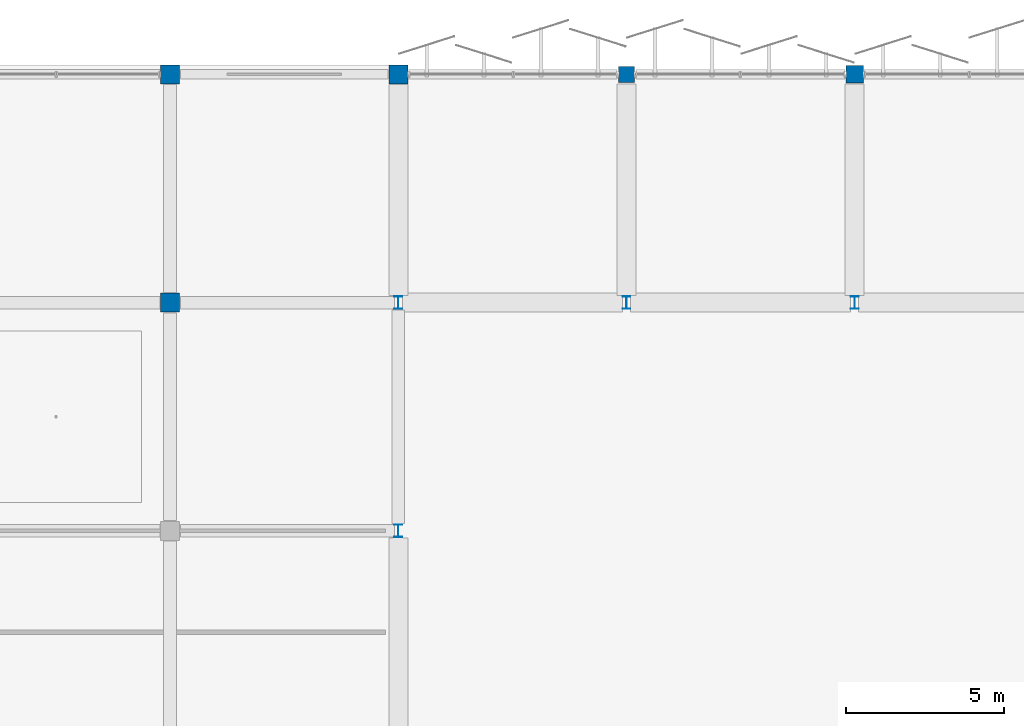
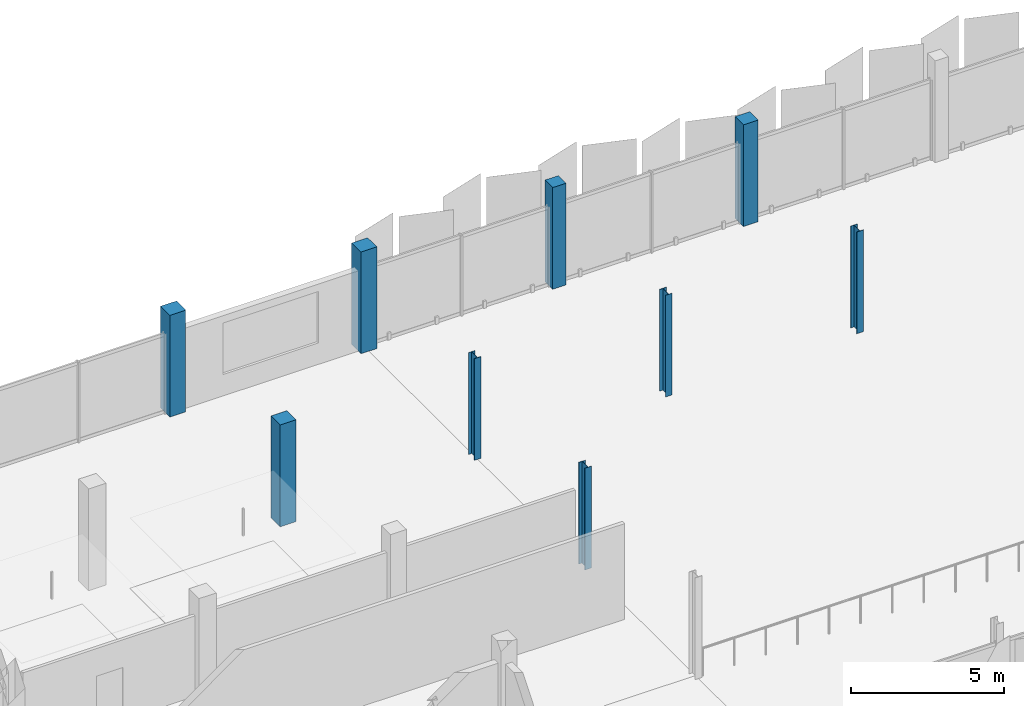
# One storey, part 8 of 107: 9 columns.
"""IFC4 building model written with IfcOpenShell, lengths in metres."""

import ifcopenshell
import ifcopenshell.guid

model = None  # the IFC model being written
_history = None  # IfcOwnerHistory: only IFC2X3 demands one
_inside = {}  # id of a spatial element -> (the spatial element, [elements in it])
_under = {}  # id of a project, library or spatial element -> (it, [spatial elements below it])
_declared = {}  # id of a project -> (the project, [libraries it declares])
_typed = {}  # id of a type object -> (the type object, [elements of that type])
_made_of = {}  # id of a material, layer set ... -> (it, [elements and type objects made of it])


def new_model(schema):
    """Start an empty IFC model of exactly this schema.

    Asked for "IFC4X3", IfcOpenShell would pick the latest addendum, in which some entities
    have other attributes; the version numbers below select the first issue.
    IFC2X3 requires an IfcOwnerHistory on every rooted entity: one is made here for all.
    """
    global model, _history
    if schema == "IFC4X3":
        model = ifcopenshell.file(schema_version=(4, 3, 0, 0))
    else:
        model = ifcopenshell.file(schema=schema)
    _inside.clear()
    _under.clear()
    _declared.clear()
    _typed.clear()
    _made_of.clear()
    _history = None
    if model.schema == "IFC2X3":
        org = make("IfcOrganization", Name="unknown")
        user = make(
            "IfcPersonAndOrganization",
            ThePerson=make("IfcPerson", FamilyName="unknown"),
            TheOrganization=org,
        )
        app = make(
            "IfcApplication",
            ApplicationDeveloper=org,
            Version="unknown",
            ApplicationFullName="unknown",
            ApplicationIdentifier="unknown",
        )
        _history = make(
            "IfcOwnerHistory",
            OwningUser=user,
            OwningApplication=app,
            ChangeAction="ADDED",
            CreationDate=0,
        )
    return model


def make(cls, **values):
    """One entity of the class cls with the attributes given. An attribute that is None is left unset."""
    return model.create_entity(
        cls, **{name: value for name, value in values.items() if value is not None}
    )


def rooted(cls, **values):
    """An entity with a GlobalId (a new one), such as an element, a storey or a relation."""
    return make(cls, GlobalId=ifcopenshell.guid.new(), OwnerHistory=_history, **values)


def si_unit(unit_type, name, prefix=None):
    """IfcSIUnit, for example si_unit("LENGTHUNIT", "METRE", prefix="MILLI")."""
    return make("IfcSIUnit", UnitType=unit_type, Prefix=prefix, Name=name)


def assignment(units):
    """IfcUnitAssignment: the units of a project."""
    return None if units is None else make("IfcUnitAssignment", Units=units)


def point(xyz):
    """IfcCartesianPoint."""
    return None if xyz is None else make("IfcCartesianPoint", Coordinates=xyz)


def direction(xyz):
    """IfcDirection."""
    return None if xyz is None else make("IfcDirection", DirectionRatios=xyz)


def frame(location, z_axis=None, x_axis=None):
    """IfcAxis2Placement3D, a coordinate frame: its origin and axes. An axis left out is left unset."""
    return make(
        "IfcAxis2Placement3D",
        Location=point(location),
        Axis=direction(z_axis),
        RefDirection=direction(x_axis),
    )


def frame_2d(location, x_axis=None):
    """IfcAxis2Placement2D, a coordinate frame in the plane: its origin and x axis."""
    return make(
        "IfcAxis2Placement2D", Location=point(location), RefDirection=direction(x_axis)
    )


def origin():
    """The frame at (0, 0, 0) with its axes left unset."""
    return frame((0.0, 0.0, 0.0))


def origin_2d():
    """The frame at (0, 0) in the plane with its x axis left unset."""
    return frame_2d((0.0, 0.0))


def place(relative_to, where):
    """IfcLocalPlacement: puts the frame where relative to a parent placement (None: the world)."""
    return make(
        "IfcLocalPlacement", PlacementRelTo=relative_to, RelativePlacement=where
    )


def context(
    kind, dimensions, precision=None, world=None, true_north=None, identifier=None
):
    """IfcGeometricRepresentationContext, for example the 3D "Model" context."""
    return make(
        "IfcGeometricRepresentationContext",
        ContextIdentifier=identifier,
        ContextType=kind,
        CoordinateSpaceDimension=dimensions,
        Precision=precision,
        WorldCoordinateSystem=world,
        TrueNorth=true_north,
    )


def subcontext(parent, identifier, kind, view, scale=None):
    """IfcGeometricRepresentationSubContext, for example "Body" below "Model"."""
    return make(
        "IfcGeometricRepresentationSubContext",
        ContextIdentifier=identifier,
        ContextType=kind,
        ParentContext=parent,
        TargetScale=scale,
        TargetView=view,
    )


def project(units=None, contexts=None):
    """IfcProject with its units and contexts."""
    return rooted(
        "IfcProject",
        Name="project",
        RepresentationContexts=contexts,
        UnitsInContext=assignment(units),
    )


def spatial(cls, under=None, at=None, **own):
    """A site, building, storey or space (cls), placed at a placement, below another one or the project."""
    s = rooted(cls, ObjectPlacement=at, **own)
    if under is not None:
        _under.setdefault(under.id(), (under, []))[1].append(s)
    return s


def profile(cls, at=None, kind="AREA", **sizes):
    """A parametric profile (cls). Its sizes go by their IFC names, for example OverallWidth=200.0."""
    return make(cls, ProfileType=kind, Position=at, **sizes)


def rectangle(**sizes):
    """IfcRectangleProfileDef."""
    return profile("IfcRectangleProfileDef", **sizes)


def i_section(**sizes):
    """IfcIShapeProfileDef."""
    return profile("IfcIShapeProfileDef", **sizes)


def extrude(swept, where, along, depth):
    """IfcExtrudedAreaSolid: the profile swept, set in the frame where, extruded along a direction by depth."""
    return make(
        "IfcExtrudedAreaSolid",
        SweptArea=swept,
        Position=where,
        ExtrudedDirection=direction(along),
        Depth=depth,
    )


def shape(context_of_items, identifier, shape_type, items):
    """IfcShapeRepresentation: the items that make up one representation, for example the "Body"."""
    return make(
        "IfcShapeRepresentation",
        ContextOfItems=context_of_items,
        RepresentationIdentifier=identifier,
        RepresentationType=shape_type,
        Items=items,
    )


def material(Name=None, Category=None):
    """IfcMaterial."""
    return make("IfcMaterial", Name=Name, Category=Category)


def material_profile(
    of_material, cross_section, Name=None, Category=None, Priority=None
):
    """IfcMaterialProfile: a cross section and its material."""
    return make(
        "IfcMaterialProfile",
        Name=Name,
        Material=of_material,
        Profile=cross_section,
        Priority=Priority,
        Category=Category,
    )


def profile_set(profiles, Name=None, composite=None):
    """IfcMaterialProfileSet."""
    return make(
        "IfcMaterialProfileSet",
        Name=Name,
        MaterialProfiles=profiles,
        CompositeProfile=composite,
    )


def made_of(thing, what):
    """Note that an element or type object is made of a material, layer set ...; save() writes the relation."""
    if what is not None:
        _made_of.setdefault(what.id(), (what, []))[1].append(thing)
    return thing


def type_object(cls, material=None, **own):
    """A type object (cls), such as IfcWallType, which elements share."""
    return made_of(rooted(cls, **own), material)


def element(
    cls,
    number,
    at=None,
    inside=None,
    cuts=None,
    type_object=None,
    material=None,
    context=None,
    identifier="Body",
    shape_type=None,
    held_by="IfcProductDefinitionShape",
    body=None,
    shapes=None,
    **own,
):
    """One element of the class cls, such as IfcWall. Its Tag is "e" and its number.

    at: its placement. inside: the storey or other place that contains it. cuts: it is an
    opening in that element (IfcRelVoidsElement). A single representation is given by context,
    identifier, shape_type and body (its items); several are given by shapes. held_by: the class
    of the entity that holds the representations. save() writes the other relations.
    """
    e = rooted(cls, Tag="e%d" % number, ObjectPlacement=at, **own)
    if body is not None:
        shapes = [shape(context, identifier, shape_type, body)]
    if shapes is not None:
        e.Representation = make(held_by, Representations=shapes)
    if inside is not None:
        _inside.setdefault(inside.id(), (inside, []))[1].append(e)
    if cuts is not None:
        rooted(
            "IfcRelVoidsElement", RelatingBuildingElement=cuts, RelatedOpeningElement=e
        )
    if type_object is not None:
        _typed.setdefault(type_object.id(), (type_object, []))[1].append(e)
    return made_of(e, material)


def aggregate(whole, parts):
    """IfcRelAggregates: a whole, such as a stair, and the parts it consists of."""
    return rooted("IfcRelAggregates", RelatingObject=whole, RelatedObjects=parts)


def save(model, path):
    """Write the relations noted so far, then the file.

    IfcRelAggregates (storeys below a building ...), IfcRelContainedInSpatialStructure (elements
    in a storey), IfcRelDefinesByType, IfcRelAssociatesMaterial and IfcRelDeclares: one each for
    every whole, place, type object, material and project.
    """
    for whole, parts in _under.values():
        aggregate(whole, parts)
    for where, things in _inside.values():
        rooted(
            "IfcRelContainedInSpatialStructure",
            RelatedElements=things,
            RelatingStructure=where,
        )
    for kind, things in _typed.values():
        rooted("IfcRelDefinesByType", RelatedObjects=things, RelatingType=kind)
    for what, things in _made_of.values():
        rooted("IfcRelAssociatesMaterial", RelatedObjects=things, RelatingMaterial=what)
    for by, libraries in _declared.values():
        rooted("IfcRelDeclares", RelatingContext=by, RelatedDefinitions=libraries)
    model.write(path)


model = new_model("IFC4")

# Units and contexts
model_context = context("Model", 3, precision=1e-05, world=origin(), true_north=direction((0.0, 1.0)))
body_context = subcontext(model_context, "Body", "Model", "MODEL_VIEW")
ifc_project = project(units=[si_unit("LENGTHUNIT", "METRE"), si_unit("AREAUNIT", "SQUARE_METRE"), si_unit("VOLUMEUNIT", "CUBIC_METRE"), si_unit("PLANEANGLEUNIT", "RADIAN"), si_unit("MASSUNIT", "GRAM", prefix="KILO")], contexts=[model_context])

# Site, building, storey
site_placement = place(None, origin())
site = spatial("IfcSite", under=ifc_project, at=site_placement, CompositionType="ELEMENT")
building_placement = place(site_placement, origin())
building = spatial("IfcBuilding", under=site, at=building_placement, Name="Kangsadwip Square Police Headquarters", CompositionType="ELEMENT")
storey_placement = place(building_placement, frame((0.0, 0.0, 5.39990234375)))
storey = spatial("IfcBuildingStorey", under=building, at=storey_placement, Name="L01", CompositionType="ELEMENT", Elevation=5.39990234375)

# Columns
ifc_material_1 = material(Name="Concrete M35 (35 MPa)", Category="concrete")
ifc_material_profile_1 = material_profile(ifc_material_1, rectangle(XDim=0.5, YDim=0.5, at=origin_2d()), Name="RC COL 500X500")
ifc_profile_set_1 = profile_set([ifc_material_profile_1], Name="Concrete M35 (35 MPa)")
column_type_1 = type_object("IfcColumnType", Name="RcCol500x500", PredefinedType="COLUMN", material=ifc_profile_set_1)
column_1_placement = place(storey_placement, frame((50.39990234375, 115.199951171875, 0.0), z_axis=(0.0, 0.0, 1.0), x_axis=(1.0, 0.0, 0.0)))
element("IfcColumn", 1, at=column_1_placement, inside=storey, type_object=column_type_1, Name="Column COL-L01-07-16", PredefinedType="COLUMN", context=body_context, shape_type="SweptSolid", body=[
    extrude(rectangle(XDim=0.5, YDim=0.5, at=origin_2d()), origin(), (0.0, 0.0, 1.0), 4.050048828125),
])
ifc_material_2 = material(Name="Concrete M35 (35 MPa)", Category="concrete")
ifc_material_profile_2 = material_profile(ifc_material_2, rectangle(XDim=0.550048828125, YDim=0.550048828125, at=origin_2d()), Name="RC COL 550X550")
ifc_profile_set_2 = profile_set([ifc_material_profile_2], Name="Concrete M35 (35 MPa)")
column_type_2 = type_object("IfcColumnType", Name="RcCol550x550", PredefinedType="COLUMN", material=ifc_profile_set_2)
column_2_placement = place(storey_placement, frame((57.60009765625, 115.199951171875, 0.0), z_axis=(0.0, 0.0, 1.0), x_axis=(1.0, 0.0, 0.0)))
element("IfcColumn", 2, at=column_2_placement, inside=storey, type_object=column_type_2, Name="Column COL-L01-08-16", PredefinedType="COLUMN", context=body_context, shape_type="SweptSolid", body=[
    extrude(rectangle(XDim=0.550048828125, YDim=0.550048828125, at=origin_2d()), origin(), (0.0, 0.0, 1.0), 4.050048828125),
])
ifc_material_3 = material(Name="Concrete M35 (35 MPa)", Category="concrete")
ifc_material_profile_3 = material_profile(ifc_material_3, rectangle(XDim=0.60009765625, YDim=0.60009765625, at=origin_2d()), Name="RC COL 600X600")
ifc_profile_set_3 = profile_set([ifc_material_profile_3], Name="Concrete M35 (35 MPa)")
column_type_3 = type_object("IfcColumnType", Name="RcCol600x600", PredefinedType="COLUMN", material=ifc_profile_set_3)
for number, where, z_axis, x_axis, name in (
    (3, (36.0, 108.0, 0.0), (0.0, 0.0, 1.0), (1.0, 0.0, 0.0), "Column COL-L01-05-15"),
    (4, (36.0, 115.199951171875, 0.0), (0.0, 0.0, 1.0), (1.0, 0.0, 0.0), "Column COL-L01-05-16"),
    (5, (43.199951171875, 115.199951171875, 0.0), (0.0, 0.0, 1.0), (1.0, 0.0, 0.0), "Column COL-L01-06-16"),
):
    element("IfcColumn", number, at=place(storey_placement, frame(where, z_axis=z_axis, x_axis=x_axis)), inside=storey, type_object=column_type_3, Name=name, PredefinedType="COLUMN", context=body_context, shape_type="SweptSolid", body=[
        extrude(rectangle(XDim=0.60009765625, YDim=0.60009765625, at=origin_2d()), origin(), (0.0, 0.0, 1.0), 4.050048828125),
    ])
ifc_material_4 = material(Name="Structural steel IS 2062 E350 (Grade 350, 350 MPa)", Category="steel")
ifc_material_profile_4 = material_profile(ifc_material_4, i_section(OverallWidth=0.25, OverallDepth=0.39990234375, WebThickness=0.010498046875, FlangeThickness=0.0126953125, at=origin_2d()), Name="ISHB 400")
ifc_profile_set_4 = profile_set([ifc_material_profile_4], Name="Structural steel IS 2062 E350 (Grade 350, 350 MPa)")
column_type_4 = type_object("IfcColumnType", Name="SteelColIshb400", PredefinedType="COLUMN", material=ifc_profile_set_4)
for number, where, z_axis, x_axis, name in (
    (6, (43.199951171875, 100.800048828125, 0.0), (0.0, 0.0, 1.0), (1.0, 0.0, 0.0), "Column COL-L01-06-14"),
    (7, (43.199951171875, 108.0, 0.0), (0.0, 0.0, 1.0), (1.0, 0.0, 0.0), "Column COL-L01-06-15"),
    (8, (50.39990234375, 108.0, 0.0), (0.0, 0.0, 1.0), (1.0, 0.0, 0.0), "Column COL-L01-07-15"),
    (9, (57.60009765625, 108.0, 0.0), (0.0, 0.0, 1.0), (1.0, 0.0, 0.0), "Column COL-L01-08-15"),
):
    element("IfcColumn", number, at=place(storey_placement, frame(where, z_axis=z_axis, x_axis=x_axis)), inside=storey, type_object=column_type_4, Name=name, PredefinedType="COLUMN", context=body_context, shape_type="SweptSolid", body=[
        extrude(i_section(OverallWidth=0.25, OverallDepth=0.39990234375, WebThickness=0.010498046875, FlangeThickness=0.0126953125, at=origin_2d()), origin(), (0.0, 0.0, 1.0), 4.050048828125),
    ])

save(model, "model.ifc")
